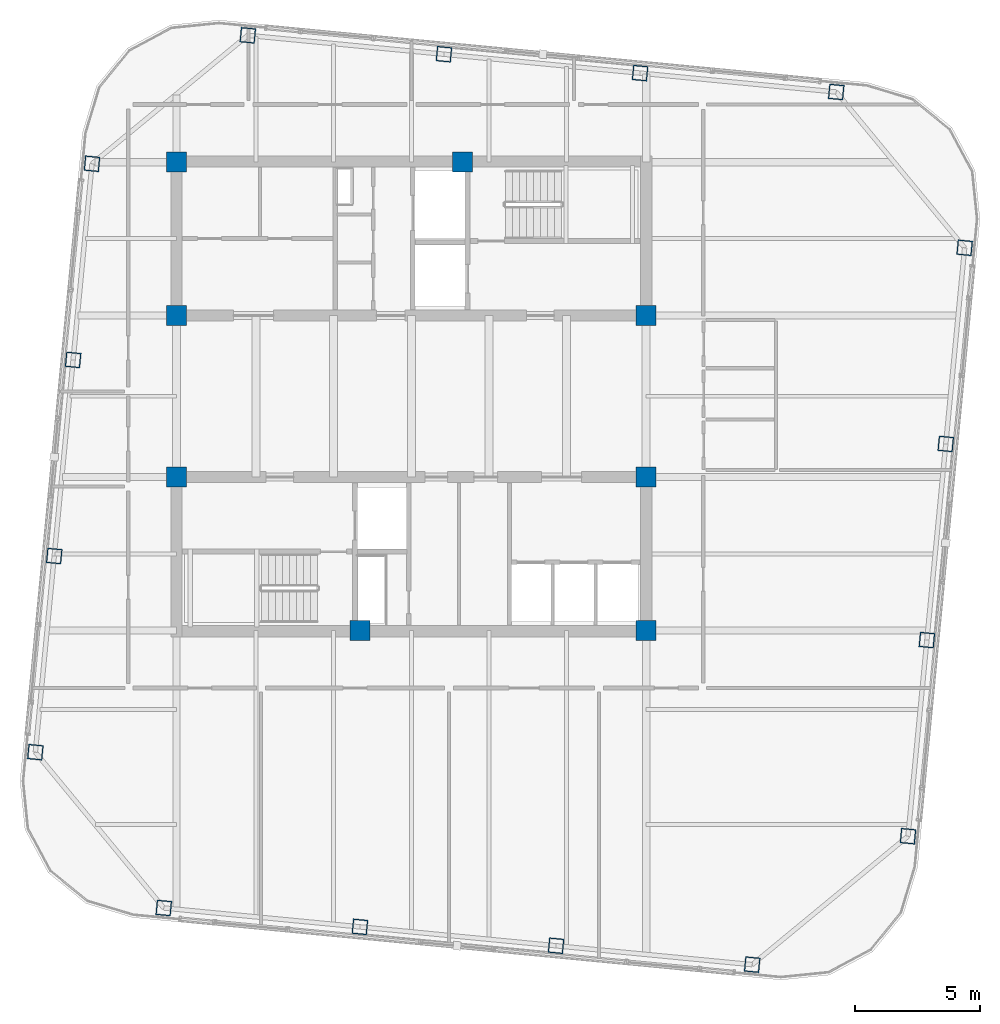
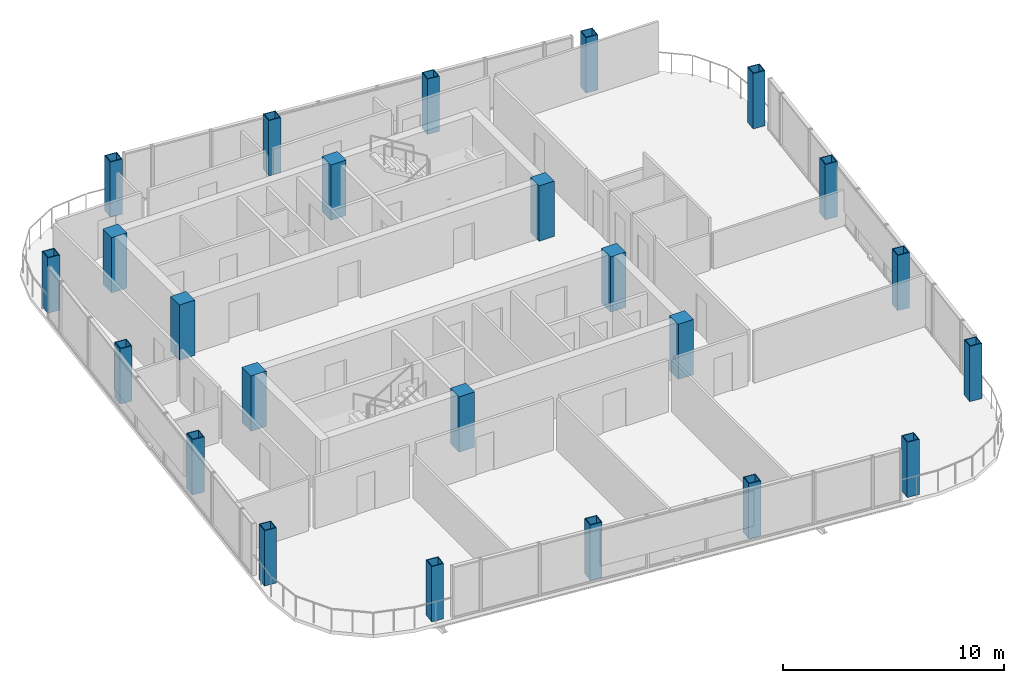
# One storey, part 1 of 23: 24 columns.
"""IFC4 building model written with IfcOpenShell, lengths in metres."""

from ifc_helpers import new_model, si_unit, direction, frame, origin, origin_2d, place, context, subcontext, project, spatial, rectangle, hollow_rectangle, extrude, material, material_profile, profile_set, type_object, element, save


model = new_model("IFC4")

# Units and contexts
model_context = context("Model", 3, precision=1e-05, world=origin(), true_north=direction((0.0, 1.0)))
body_context = subcontext(model_context, "Body", "Model", "MODEL_VIEW")
ifc_project = project(units=[si_unit("LENGTHUNIT", "METRE"), si_unit("AREAUNIT", "SQUARE_METRE"), si_unit("VOLUMEUNIT", "CUBIC_METRE"), si_unit("PLANEANGLEUNIT", "RADIAN"), si_unit("MASSUNIT", "GRAM", prefix="KILO")], contexts=[model_context])

# Site, building, storey
site_placement = place(None, origin())
site = spatial("IfcSite", under=ifc_project, at=site_placement, CompositionType="ELEMENT")
building_placement = place(site_placement, origin())
building = spatial("IfcBuilding", under=site, at=building_placement, Name="Qhalaya Broadcast Tower", CompositionType="ELEMENT")
storey_placement = place(building_placement, frame((0.0, 0.0, 261.14990234375)))
storey = spatial("IfcBuildingStorey", under=building, at=storey_placement, Name="L77", CompositionType="ELEMENT", Elevation=261.14990234375)

# Columns
ifc_material_1 = material(Name="Concrete C50/60", Category="concrete")
ifc_material_profile_1 = material_profile(ifc_material_1, rectangle(XDim=0.800048828125, YDim=0.800048828125, at=origin_2d()), Name="RC-COL 800x800")
ifc_profile_set_1 = profile_set([ifc_material_profile_1], Name="Concrete C50/60")
column_type_1 = type_object("IfcColumnType", Name="RC Upper Column C10", PredefinedType="COLUMN", material=ifc_profile_set_1)
for number, where, z_axis, x_axis, name in (
    (1, (-9.375, 9.949951171875, 0.0), (0.0, 0.0, 1.0), (1.0, 0.0, 0.0), "L77 Column COL-CC1"),
    (2, (2.050048828125, 9.949951171875, 0.0), (0.0, 0.0, 1.0), (1.0, 0.0, 0.0), "L77 Column COL-CC2"),
    (3, (-9.375, 3.824951171875, 0.0), (0.0, 0.0, 1.0), (1.0, 0.0, 0.0), "L77 Column COL-CC3"),
    (4, (9.375, 3.824951171875, 0.0), (0.0, 0.0, 1.0), (1.0, 0.0, 0.0), "L77 Column COL-CC4"),
    (5, (-9.375, -2.625, 0.0), (0.0, 0.0, 1.0), (1.0, 0.0, 0.0), "L77 Column COL-CC5"),
    (6, (9.375, -2.625, 0.0), (0.0, 0.0, 1.0), (1.0, 0.0, 0.0), "L77 Column COL-CC6"),
    (7, (-2.050048828125, -8.75, 0.0), (0.0, 0.0, 1.0), (1.0, 0.0, 0.0), "L77 Column COL-CC7"),
    (8, (9.375, -8.75, 0.0), (0.0, 0.0, 1.0), (1.0, 0.0, 0.0), "L77 Column COL-CC8"),
):
    element("IfcColumn", number, at=place(storey_placement, frame(where, z_axis=z_axis, x_axis=x_axis)), inside=storey, type_object=column_type_1, Name=name, PredefinedType="COLUMN", context=body_context, shape_type="SweptSolid", body=[
        extrude(rectangle(XDim=0.800048828125, YDim=0.800048828125, at=origin_2d()), origin(), (0.0, 0.0, 1.0), 3.050048828125),
    ])
ifc_material_2 = material(Name="Structural Steel ASTM A572 Grade 50", Category="steel")
ifc_material_profile_2 = material_profile(ifc_material_2, hollow_rectangle(XDim=0.60009765625, YDim=0.60009765625, WallThickness=0.0400390625, at=origin_2d()), Name="BOX 600x600x40")
ifc_profile_set_2 = profile_set([ifc_material_profile_2], Name="Structural Steel ASTM A572 Grade 50")
column_type_2 = type_object("IfcColumnType", Name="Steel Box Column C05", PredefinedType="COLUMN", material=ifc_profile_set_2)
for number, where, z_axis, x_axis, name in (
    (9, (-9.883056640625, -19.82861328125, 0.0), (0.0, 0.0, 1.0), (0.995396198367, -0.09584575252, 0.0), "L77 Column COL-EX01"),
    (10, (-2.052490234375, -20.58251953125, 0.0), (0.0, 0.0, 1.0), (0.995396198367, -0.09584575252, 0.0), "L77 Column COL-EX02"),
    (11, (5.77783203125, -21.33642578125, 0.0), (0.0, 0.0, 1.0), (0.995396198367, -0.09584575252, 0.0), "L77 Column COL-EX03"),
    (12, (13.6083984375, -22.09033203125, 0.0), (0.0, 0.0, 1.0), (0.995396198367, -0.09584575252, 0.0), "L77 Column COL-EX04"),
    (13, (19.82861328125, -16.962890625, 0.0), (0.0, 0.0, 1.0), (0.09584575252, 0.995396198367, 0.0), "L77 Column COL-EX05"),
    (14, (20.58251953125, -9.132568359375, 0.0), (0.0, 0.0, 1.0), (0.09584575252, 0.995396198367, 0.0), "L77 Column COL-EX06"),
    (15, (21.33642578125, -1.302001953125, 0.0), (0.0, 0.0, 1.0), (0.09584575252, 0.995396198367, 0.0), "L77 Column COL-EX07"),
    (16, (22.09033203125, 6.5283203125, 0.0), (0.0, 0.0, 1.0), (0.09584575252, 0.995396198367, 0.0), "L77 Column COL-EX08"),
    (17, (16.962890625, 12.74853515625, 0.0), (0.0, 0.0, 1.0), (0.995396198367, -0.09584575252, 0.0), "L77 Column COL-EX09"),
    (18, (9.132568359375, 13.50244140625, 0.0), (0.0, 0.0, 1.0), (0.995396198367, -0.09584575252, 0.0), "L77 Column COL-EX10"),
    (19, (1.302001953125, 14.25634765625, 0.0), (0.0, 0.0, 1.0), (0.995396198367, -0.09584575252, 0.0), "L77 Column COL-EX11"),
    (20, (-6.5283203125, 15.010498046875, 0.0), (0.0, 0.0, 1.0), (0.995396198367, -0.09584575252, 0.0), "L77 Column COL-EX12"),
    (21, (-12.74853515625, 9.883056640625, 0.0), (0.0, 0.0, 1.0), (0.09584575252, 0.995396198367, 0.0), "L77 Column COL-EX13"),
    (22, (-13.50244140625, 2.052490234375, 0.0), (0.0, 0.0, 1.0), (0.09584575252, 0.995396198367, 0.0), "L77 Column COL-EX14"),
    (23, (-14.25634765625, -5.77783203125, 0.0), (0.0, 0.0, 1.0), (0.09584575252, 0.995396198367, 0.0), "L77 Column COL-EX15"),
    (24, (-15.010498046875, -13.6083984375, 0.0), (0.0, 0.0, 1.0), (0.09584575252, 0.995396198367, 0.0), "L77 Column COL-EX16"),
):
    element("IfcColumn", number, at=place(storey_placement, frame(where, z_axis=z_axis, x_axis=x_axis)), inside=storey, type_object=column_type_2, Name=name, PredefinedType="COLUMN", context=body_context, shape_type="SweptSolid", body=[
        extrude(hollow_rectangle(XDim=0.60009765625, YDim=0.60009765625, WallThickness=0.0400390625, at=origin_2d()), origin(), (0.0, 0.0, 1.0), 3.050048828125),
    ])

save(model, "model.ifc")
